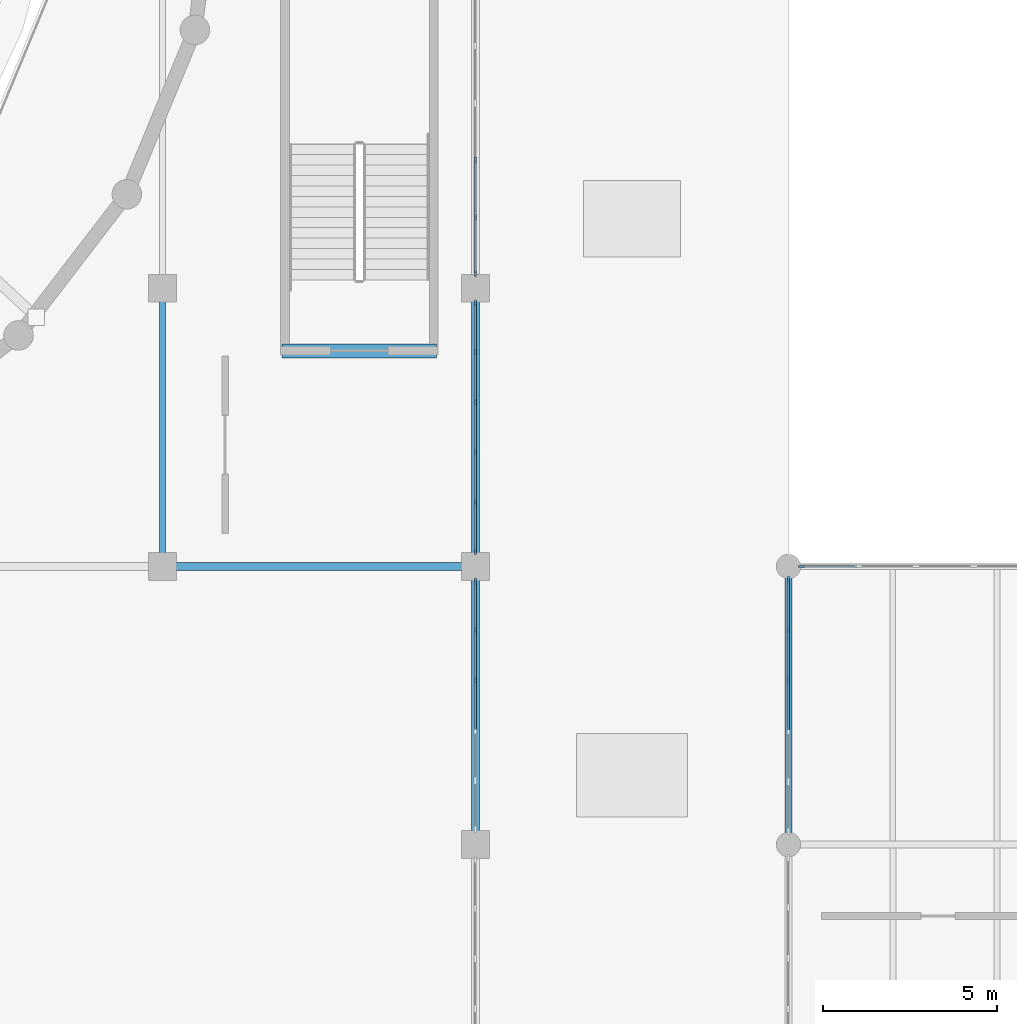
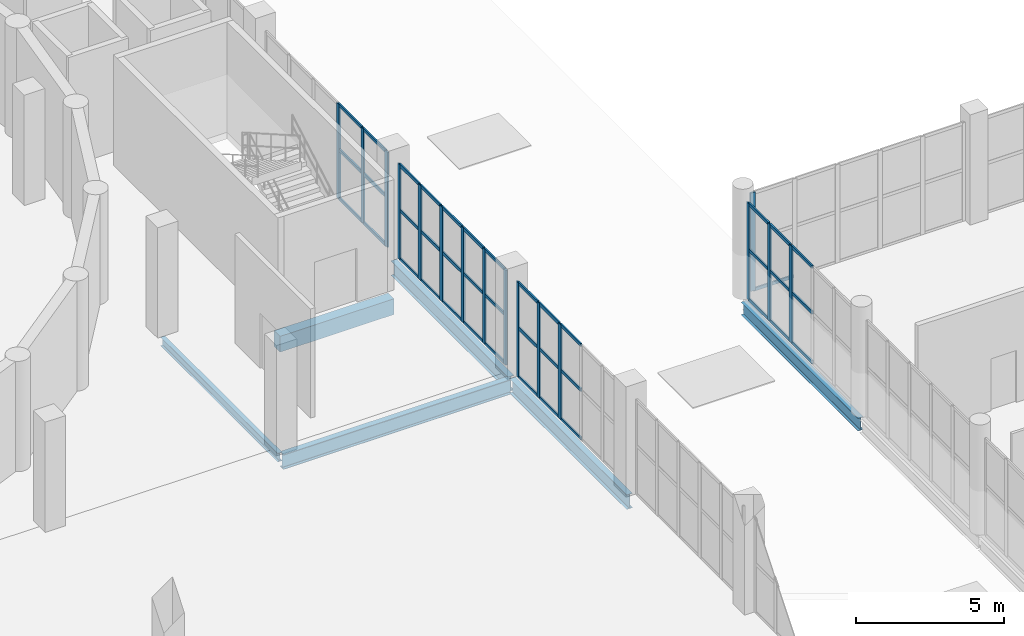
# One storey, part 38 of 93: 56 members, 6 beams, 5 elements without a shape of their own.
"""IFC4 building model written with IfcOpenShell, lengths in metres."""

from ifc_helpers import new_model, si_unit, direction, frame, origin, origin_2d, place, context, subcontext, project, spatial, rectangle, i_section, extrude, material, layer, layer_set, material_profile, profile_set, type_object, element, aggregate, save


model = new_model("IFC4")

# Units and contexts
model_context = context("Model", 3, precision=1e-05, world=origin(), true_north=direction((0.0, 1.0)))
body_context = subcontext(model_context, "Body", "Model", "MODEL_VIEW")
ifc_project = project(units=[si_unit("LENGTHUNIT", "METRE"), si_unit("AREAUNIT", "SQUARE_METRE"), si_unit("VOLUMEUNIT", "CUBIC_METRE"), si_unit("PLANEANGLEUNIT", "RADIAN"), si_unit("MASSUNIT", "GRAM", prefix="KILO")], contexts=[model_context])

# Site, building, storey
site_placement = place(None, origin())
site = spatial("IfcSite", under=ifc_project, at=site_placement, CompositionType="ELEMENT")
building_placement = place(site_placement, origin())
building = spatial("IfcBuilding", under=site, at=building_placement, Name="Marnock Terrace Opera House", CompositionType="ELEMENT")
storey_placement = place(building_placement, frame((0.0, 0.0, 5.39990234375)))
storey = spatial("IfcBuildingStorey", under=building, at=storey_placement, Name="L01", CompositionType="ELEMENT", Elevation=5.39990234375)

# Beams
ifc_material_1 = material(Name="Steel Grade 350 (AS/NZS 3679.1)", Category="steel")
ifc_material_profile_1 = material_profile(ifc_material_1, i_section(OverallWidth=0.1708984375, OverallDepth=0.355712890625, WebThickness=0.00732421875, FlangeThickness=0.011474609375, FilletRadius=0.011474609375, at=origin_2d()))
ifc_profile_set_1 = profile_set([ifc_material_profile_1], Name="Steel Grade 350 (AS/NZS 3679.1)")
beam_type_1 = type_object("IfcBeamType", Name="BM-GIRD-360", PredefinedType="BEAM", material=ifc_profile_set_1)
beam_1_placement = place(storey_placement, frame((100.0, 40.050048828125, -0.457763671875), z_axis=(0.0, 1.0, 0.0), x_axis=(-1.0, 0.0, 0.0)))
element("IfcBeam", 1, at=beam_1_placement, inside=storey, type_object=beam_type_1, Name="L01 girder (X=100.0, 40.0..48.0)", PredefinedType="BEAM", context=body_context, shape_type="SweptSolid", body=[
    extrude(i_section(OverallWidth=0.1708984375, OverallDepth=0.355712890625, WebThickness=0.00732421875, FlangeThickness=0.011474609375, FilletRadius=0.011474609375, at=origin_2d()), origin(), (0.0, 0.0, 1.0), 7.89990234375),
])
ifc_material_profile_2 = material_profile(ifc_material_1, i_section(OverallWidth=0.208984375, OverallDepth=0.528076171875, WebThickness=0.009521484375, FlangeThickness=0.01318359375, FilletRadius=0.013916015625, at=origin_2d()))
ifc_profile_set_2 = profile_set([ifc_material_profile_2], Name="Steel Grade 350 (AS/NZS 3679.1)")
beam_type_2 = type_object("IfcBeamType", Name="BM-GIRD-530B", PredefinedType="BEAM", material=ifc_profile_set_2)
beam_2_placement = place(storey_placement, frame((118.0, 32.050048828125, -0.5439453125), z_axis=(0.0, 1.0, 0.0), x_axis=(-1.0, 0.0, 0.0)))
element("IfcBeam", 2, at=beam_2_placement, inside=storey, type_object=beam_type_2, Name="L01 girder (X=118.0, 32.0..40.0)", PredefinedType="BEAM", context=body_context, shape_type="SweptSolid", body=[
    extrude(i_section(OverallWidth=0.208984375, OverallDepth=0.528076171875, WebThickness=0.009521484375, FlangeThickness=0.01318359375, FilletRadius=0.013916015625, at=origin_2d()), origin(), (0.0, 0.0, 1.0), 7.89990234375),
])
ifc_material_profile_3 = material_profile(ifc_material_1, i_section(OverallWidth=0.22900390625, OverallDepth=0.611572265625, WebThickness=0.011962890625, FlangeThickness=0.01953125, FilletRadius=0.013916015625, at=origin_2d()))
ifc_profile_set_3 = profile_set([ifc_material_profile_3], Name="Steel Grade 350 (AS/NZS 3679.1)")
beam_type_3 = type_object("IfcBeamType", Name="BM-GIRD-610A", PredefinedType="BEAM", material=ifc_profile_set_3)
beam_3_placement = place(storey_placement, frame((100.050048828125, 40.0, -0.585693359375), z_axis=(1.0, 0.0, 0.0), x_axis=(0.0, 1.0, 0.0)))
element("IfcBeam", 3, at=beam_3_placement, inside=storey, type_object=beam_type_3, Name="L01 girder (100.0..109.0, Y=40.0)", PredefinedType="BEAM", context=body_context, shape_type="SweptSolid", body=[
    extrude(i_section(OverallWidth=0.22900390625, OverallDepth=0.611572265625, WebThickness=0.011962890625, FlangeThickness=0.01953125, FilletRadius=0.013916015625, at=origin_2d()), origin(), (0.0, 0.0, 1.0), 8.89990234375),
])
ifc_material_profile_4 = material_profile(ifc_material_1, i_section(OverallWidth=0.22802734375, OverallDepth=0.60205078125, WebThickness=0.010498046875, FlangeThickness=0.014892578125, FilletRadius=0.013916015625, at=origin_2d()))
ifc_profile_set_4 = profile_set([ifc_material_profile_4], Name="Steel Grade 350 (AS/NZS 3679.1)")
beam_type_4 = type_object("IfcBeamType", Name="BM-GIRD-610C", PredefinedType="BEAM", material=ifc_profile_set_4)
for number, where, z_axis, x_axis, name in (
    (4, (109.0, 32.050048828125, -0.580810546875), (0.0, 1.0, 0.0), (-1.0, 0.0, 0.0), "L01 girder (X=109.0, 32.0..40.0)"),
    (5, (109.0, 40.050048828125, -0.580810546875), (0.0, 1.0, 0.0), (-1.0, 0.0, 0.0), "L01 girder (X=109.0, 40.0..48.0)"),
):
    element("IfcBeam", number, at=place(storey_placement, frame(where, z_axis=z_axis, x_axis=x_axis)), inside=storey, type_object=beam_type_4, Name=name, PredefinedType="BEAM", context=body_context, shape_type="SweptSolid", body=[
        extrude(i_section(OverallWidth=0.22802734375, OverallDepth=0.60205078125, WebThickness=0.010498046875, FlangeThickness=0.014892578125, FilletRadius=0.013916015625, at=origin_2d()), origin(), (0.0, 0.0, 1.0), 7.89990234375),
    ])
ifc_material_2 = material(Name="Concrete N40 (f'c = 40 MPa)", Category="concrete")
ifc_material_profile_5 = material_profile(ifc_material_2, rectangle(XDim=0.39990234375, YDim=0.64990234375, at=origin_2d()))
ifc_profile_set_5 = profile_set([ifc_material_profile_5], Name="Concrete N40 (f'c = 40 MPa)")
beam_type_5 = type_object("IfcBeamType", Name="BM-LINT-RC400", PredefinedType="LINTEL", material=ifc_profile_set_5)
beam_4_placement = place(storey_placement, frame((103.43994140625, 46.199951171875, -0.6298828125), z_axis=(1.0, 0.0, 0.0), x_axis=(0.0, 1.0, 0.0)))
element("IfcBeam", 6, at=beam_4_placement, inside=storey, type_object=beam_type_5, Name="L00 Core C2 coupling lintel", PredefinedType="LINTEL", context=body_context, shape_type="SweptSolid", body=[
    extrude(rectangle(XDim=0.39990234375, YDim=0.64990234375, at=origin_2d()), origin(), (0.0, 0.0, 1.0), 4.43994140625),
])

# Curtain wall, members
ifc_material_3 = material(Name="Anodised architectural bronze aluminium framing", Category="aluminium")
ifc_layer_1 = layer(ifc_material_3, 0.159912109375)
ifc_layer_set_1 = layer_set([ifc_layer_1], Name="Anodised architectural bronze aluminium framing")
curtain_wall_type_1 = type_object("IfcCurtainWallType", Name="CW-FOYER-80x45", PredefinedType="NOTDEFINED", material=ifc_layer_set_1)
curtain_wall_1_placement = place(storey_placement, origin())
curtain_wall_1 = element("IfcCurtainWall", 7, at=curtain_wall_1_placement, inside=storey, type_object=curtain_wall_type_1, Name="L01 glazed Beaux-Arts colonnade curtain wall CW-V1E-L01-04", PredefinedType="NOTDEFINED")
ifc_material_profile_6 = material_profile(ifc_material_3, rectangle(XDim=0.06494140625, YDim=0.179931640625, at=origin_2d()))
ifc_profile_set_6 = profile_set([ifc_material_profile_6], Name="Anodised architectural bronze aluminium framing")
member_type_1 = type_object("IfcMemberType", Name="CWM-65x180", PredefinedType="MULLION", material=ifc_profile_set_6)
member_1_placement = place(storey_placement, frame((109.0, 36.720703125, 0.0), z_axis=(0.0, 0.0, 1.0), x_axis=(-1.0, 0.0, 0.0)))
member_1 = element("IfcMember", 8, at=member_1_placement, type_object=member_type_1, Name="CW-87 mullion 4", PredefinedType="MULLION", context=body_context, shape_type="SweptSolid", body=[
    extrude(rectangle(XDim=0.06494140625, YDim=0.179931640625, at=origin_2d()), origin(), (0.0, 0.0, 1.0), 3.908203125),
])
member_2_placement = place(storey_placement, frame((109.0, 38.162353515625, 0.0), z_axis=(0.0, 0.0, 1.0), x_axis=(-1.0, 0.0, 0.0)))
member_2 = element("IfcMember", 9, at=member_2_placement, type_object=member_type_1, Name="CW-87 mullion 5", PredefinedType="MULLION", context=body_context, shape_type="SweptSolid", body=[
    extrude(rectangle(XDim=0.06494140625, YDim=0.179931640625, at=origin_2d()), origin(), (0.0, 0.0, 1.0), 3.908203125),
])
member_3_placement = place(storey_placement, frame((109.0, 39.573974609375, 0.0), z_axis=(0.0, 0.0, 1.0), x_axis=(-1.0, 0.0, 0.0)))
member_3 = element("IfcMember", 10, at=member_3_placement, type_object=member_type_1, Name="CW-87 mullion 6", PredefinedType="MULLION", context=body_context, shape_type="SweptSolid", body=[
    extrude(rectangle(XDim=0.06494140625, YDim=0.179931640625, at=origin_2d()), origin(), (0.0, 0.0, 1.0), 3.908203125),
])

curtain_wall_2_placement = place(storey_placement, origin())
curtain_wall_2 = element("IfcCurtainWall", 11, at=curtain_wall_2_placement, inside=storey, type_object=curtain_wall_type_1, Name="L01 glazed Beaux-Arts colonnade curtain wall CW-V1E-L01-05", PredefinedType="NOTDEFINED")
member_4_placement = place(storey_placement, frame((109.0, 40.426025390625, 0.0), z_axis=(0.0, 0.0, 1.0), x_axis=(-1.0, 0.0, 0.0)))
member_4 = element("IfcMember", 12, at=member_4_placement, type_object=member_type_1, Name="CW-87 mullion 1", PredefinedType="MULLION", context=body_context, shape_type="SweptSolid", body=[
    extrude(rectangle(XDim=0.06494140625, YDim=0.179931640625, at=origin_2d()), origin(), (0.0, 0.0, 1.0), 3.908203125),
])
member_5_placement = place(storey_placement, frame((109.0, 41.837646484375, 0.0), z_axis=(0.0, 0.0, 1.0), x_axis=(-1.0, 0.0, 0.0)))
member_5 = element("IfcMember", 13, at=member_5_placement, type_object=member_type_1, Name="CW-87 mullion 2", PredefinedType="MULLION", context=body_context, shape_type="SweptSolid", body=[
    extrude(rectangle(XDim=0.06494140625, YDim=0.179931640625, at=origin_2d()), origin(), (0.0, 0.0, 1.0), 3.908203125),
])
member_6_placement = place(storey_placement, frame((109.0, 43.279296875, 0.0), z_axis=(0.0, 0.0, 1.0), x_axis=(-1.0, 0.0, 0.0)))
member_6 = element("IfcMember", 14, at=member_6_placement, type_object=member_type_1, Name="CW-87 mullion 3", PredefinedType="MULLION", context=body_context, shape_type="SweptSolid", body=[
    extrude(rectangle(XDim=0.06494140625, YDim=0.179931640625, at=origin_2d()), origin(), (0.0, 0.0, 1.0), 3.908203125),
])
member_7_placement = place(storey_placement, frame((109.0, 44.720703125, 0.0), z_axis=(0.0, 0.0, 1.0), x_axis=(-1.0, 0.0, 0.0)))
member_7 = element("IfcMember", 15, at=member_7_placement, type_object=member_type_1, Name="CW-87 mullion 4", PredefinedType="MULLION", context=body_context, shape_type="SweptSolid", body=[
    extrude(rectangle(XDim=0.06494140625, YDim=0.179931640625, at=origin_2d()), origin(), (0.0, 0.0, 1.0), 3.908203125),
])
member_8_placement = place(storey_placement, frame((109.0, 46.162353515625, 0.0), z_axis=(0.0, 0.0, 1.0), x_axis=(-1.0, 0.0, 0.0)))
member_8 = element("IfcMember", 16, at=member_8_placement, type_object=member_type_1, Name="CW-87 mullion 5", PredefinedType="MULLION", context=body_context, shape_type="SweptSolid", body=[
    extrude(rectangle(XDim=0.06494140625, YDim=0.179931640625, at=origin_2d()), origin(), (0.0, 0.0, 1.0), 3.908203125),
])
member_9_placement = place(storey_placement, frame((109.0, 47.573974609375, 0.0), z_axis=(0.0, 0.0, 1.0), x_axis=(-1.0, 0.0, 0.0)))
member_9 = element("IfcMember", 17, at=member_9_placement, type_object=member_type_1, Name="CW-87 mullion 6", PredefinedType="MULLION", context=body_context, shape_type="SweptSolid", body=[
    extrude(rectangle(XDim=0.06494140625, YDim=0.179931640625, at=origin_2d()), origin(), (0.0, 0.0, 1.0), 3.908203125),
])

ifc_layer_2 = layer(ifc_material_3, 0.159912109375)
ifc_layer_set_2 = layer_set([ifc_layer_2], Name="Anodised architectural bronze aluminium framing")
curtain_wall_type_2 = type_object("IfcCurtainWallType", Name="CW-FOYER-90x45", PredefinedType="NOTDEFINED", material=ifc_layer_set_2)
curtain_wall_3_placement = place(storey_placement, origin())
curtain_wall_3 = element("IfcCurtainWall", 18, at=curtain_wall_3_placement, inside=storey, type_object=curtain_wall_type_2, Name="L01 glazed Beaux-Arts colonnade curtain wall CW-V1E-L01-06", PredefinedType="NOTDEFINED")
member_10_placement = place(storey_placement, frame((109.0, 48.426025390625, 0.0), z_axis=(0.0, 0.0, 1.0), x_axis=(-1.0, 0.0, 0.0)))
member_10 = element("IfcMember", 19, at=member_10_placement, type_object=member_type_1, Name="CW-27 mullion 1", PredefinedType="MULLION", context=body_context, shape_type="SweptSolid", body=[
    extrude(rectangle(XDim=0.06494140625, YDim=0.179931640625, at=origin_2d()), origin(), (0.0, 0.0, 1.0), 3.908203125),
])
member_11_placement = place(storey_placement, frame((109.0, 50.03759765625, 0.0), z_axis=(0.0, 0.0, 1.0), x_axis=(-1.0, 0.0, 0.0)))
member_11 = element("IfcMember", 20, at=member_11_placement, type_object=member_type_1, Name="CW-27 mullion 2", PredefinedType="MULLION", context=body_context, shape_type="SweptSolid", body=[
    extrude(rectangle(XDim=0.06494140625, YDim=0.179931640625, at=origin_2d()), origin(), (0.0, 0.0, 1.0), 3.908203125),
])
member_12_placement = place(storey_placement, frame((109.0, 51.67919921875, 0.0), z_axis=(0.0, 0.0, 1.0), x_axis=(-1.0, 0.0, 0.0)))
member_12 = element("IfcMember", 21, at=member_12_placement, type_object=member_type_1, Name="CW-27 mullion 3", PredefinedType="MULLION", context=body_context, shape_type="SweptSolid", body=[
    extrude(rectangle(XDim=0.06494140625, YDim=0.179931640625, at=origin_2d()), origin(), (0.0, 0.0, 1.0), 3.908203125),
])

ifc_layer_3 = layer(ifc_material_3, 0.159912109375)
ifc_layer_set_3 = layer_set([ifc_layer_3], Name="Anodised architectural bronze aluminium framing")
curtain_wall_type_3 = type_object("IfcCurtainWallType", Name="CW-LOGGIA-86x45", PredefinedType="NOTDEFINED", material=ifc_layer_set_3)
curtain_wall_4_placement = place(storey_placement, origin())
curtain_wall_4 = element("IfcCurtainWall", 22, at=curtain_wall_4_placement, inside=storey, type_object=curtain_wall_type_3, Name="L01 glazed Beaux-Arts colonnade curtain wall CW-V5-L01-W4", PredefinedType="NOTDEFINED")
member_13_placement = place(storey_placement, frame((118.0, 36.730712890625, 0.0), z_axis=(0.0, 0.0, 1.0), x_axis=(-1.0, 0.0, 0.0)))
member_13 = element("IfcMember", 23, at=member_13_placement, type_object=member_type_1, Name="CW-61 mullion 4", PredefinedType="MULLION", context=body_context, shape_type="SweptSolid", body=[
    extrude(rectangle(XDim=0.06494140625, YDim=0.179931640625, at=origin_2d()), origin(), (0.0, 0.0, 1.0), 3.982177734375),
])
member_14_placement = place(storey_placement, frame((118.0, 38.1923828125, 0.0), z_axis=(0.0, 0.0, 1.0), x_axis=(-1.0, 0.0, 0.0)))
member_14 = element("IfcMember", 24, at=member_14_placement, type_object=member_type_1, Name="CW-61 mullion 5", PredefinedType="MULLION", context=body_context, shape_type="SweptSolid", body=[
    extrude(rectangle(XDim=0.06494140625, YDim=0.179931640625, at=origin_2d()), origin(), (0.0, 0.0, 1.0), 3.982177734375),
])
member_15_placement = place(storey_placement, frame((118.0, 39.6240234375, 0.0), z_axis=(0.0, 0.0, 1.0), x_axis=(-1.0, 0.0, 0.0)))
member_15 = element("IfcMember", 25, at=member_15_placement, type_object=member_type_1, Name="CW-61 mullion 6", PredefinedType="MULLION", context=body_context, shape_type="SweptSolid", body=[
    extrude(rectangle(XDim=0.06494140625, YDim=0.179931640625, at=origin_2d()), origin(), (0.0, 0.0, 1.0), 3.982177734375),
])

# Curtain wall, member
curtain_wall_5_placement = place(storey_placement, origin())
curtain_wall_5 = element("IfcCurtainWall", 26, at=curtain_wall_5_placement, inside=storey, type_object=curtain_wall_type_3, Name="L01 glazed Beaux-Arts colonnade curtain wall CW-V5-L01-CS1", PredefinedType="NOTDEFINED")
member_16_placement = place(storey_placement, frame((118.3759765625, 40.0, 0.0), z_axis=(0.0, 0.0, 1.0), x_axis=(0.0, 1.0, 0.0)))
member_16 = element("IfcMember", 27, at=member_16_placement, type_object=member_type_1, Name="CW-61 mullion 1", PredefinedType="MULLION", context=body_context, shape_type="SweptSolid", body=[
    extrude(rectangle(XDim=0.06494140625, YDim=0.179931640625, at=origin_2d()), origin(), (0.0, 0.0, 1.0), 4.0498046875),
])

# Member
ifc_material_profile_7 = material_profile(ifc_material_3, rectangle(XDim=0.06005859375, YDim=0.1298828125, at=origin_2d()))
ifc_profile_set_7 = profile_set([ifc_material_profile_7], Name="Anodised architectural bronze aluminium framing")
member_type_2 = type_object("IfcMemberType", Name="CWT-60x130", PredefinedType="USERDEFINED", material=ifc_profile_set_7)
member_17_placement = place(storey_placement, frame((109.0, 35.30908203125, 0.030029296875), z_axis=(0.0, 1.0, 0.0), x_axis=(-1.0, 0.0, 0.0)))
member_17 = element("IfcMember", 28, at=member_17_placement, type_object=member_type_2, Name="CW-87 transom 3.1", ObjectType="TRANSOM", PredefinedType="USERDEFINED", context=body_context, shape_type="SweptSolid", body=[
    extrude(rectangle(XDim=0.06005859375, YDim=0.1298828125, at=origin_2d()), origin(), (0.0, 0.0, 1.0), 1.3818359375),
])

member_18_placement = place(storey_placement, frame((109.0, 35.30908203125, 2.0322265625), z_axis=(0.0, 1.0, 0.0), x_axis=(-1.0, 0.0, 0.0)))
member_18 = element("IfcMember", 29, at=member_18_placement, type_object=member_type_2, Name="CW-87 transom 3.2", ObjectType="TRANSOM", PredefinedType="USERDEFINED", context=body_context, shape_type="SweptSolid", body=[
    extrude(rectangle(XDim=0.06005859375, YDim=0.1298828125, at=origin_2d()), origin(), (0.0, 0.0, 1.0), 1.3818359375),
])

member_19_placement = place(storey_placement, frame((109.0, 35.30908203125, 3.878173828125), z_axis=(0.0, 1.0, 0.0), x_axis=(-1.0, 0.0, 0.0)))
member_19 = element("IfcMember", 30, at=member_19_placement, type_object=member_type_2, Name="CW-87 transom 3.3", ObjectType="TRANSOM", PredefinedType="USERDEFINED", context=body_context, shape_type="SweptSolid", body=[
    extrude(rectangle(XDim=0.06005859375, YDim=0.1298828125, at=origin_2d()), origin(), (0.0, 0.0, 1.0), 1.3818359375),
])

member_20_placement = place(storey_placement, frame((109.0, 36.750732421875, 0.030029296875), z_axis=(0.0, 1.0, 0.0), x_axis=(-1.0, 0.0, 0.0)))
member_20 = element("IfcMember", 31, at=member_20_placement, type_object=member_type_2, Name="CW-87 transom 4.1", ObjectType="TRANSOM", PredefinedType="USERDEFINED", context=body_context, shape_type="SweptSolid", body=[
    extrude(rectangle(XDim=0.06005859375, YDim=0.1298828125, at=origin_2d()), origin(), (0.0, 0.0, 1.0), 1.381591796875),
])

member_21_placement = place(storey_placement, frame((109.0, 36.750732421875, 2.0322265625), z_axis=(0.0, 1.0, 0.0), x_axis=(-1.0, 0.0, 0.0)))
member_21 = element("IfcMember", 32, at=member_21_placement, type_object=member_type_2, Name="CW-87 transom 4.2", ObjectType="TRANSOM", PredefinedType="USERDEFINED", context=body_context, shape_type="SweptSolid", body=[
    extrude(rectangle(XDim=0.06005859375, YDim=0.1298828125, at=origin_2d()), origin(), (0.0, 0.0, 1.0), 1.381591796875),
])

member_22_placement = place(storey_placement, frame((109.0, 36.750732421875, 3.878173828125), z_axis=(0.0, 1.0, 0.0), x_axis=(-1.0, 0.0, 0.0)))
member_22 = element("IfcMember", 33, at=member_22_placement, type_object=member_type_2, Name="CW-87 transom 4.3", ObjectType="TRANSOM", PredefinedType="USERDEFINED", context=body_context, shape_type="SweptSolid", body=[
    extrude(rectangle(XDim=0.06005859375, YDim=0.1298828125, at=origin_2d()), origin(), (0.0, 0.0, 1.0), 1.381591796875),
])

member_23_placement = place(storey_placement, frame((109.0, 38.1923828125, 0.030029296875), z_axis=(0.0, 1.0, 0.0), x_axis=(-1.0, 0.0, 0.0)))
member_23 = element("IfcMember", 34, at=member_23_placement, type_object=member_type_2, Name="CW-87 transom 5.1", ObjectType="TRANSOM", PredefinedType="USERDEFINED", context=body_context, shape_type="SweptSolid", body=[
    extrude(rectangle(XDim=0.06005859375, YDim=0.1298828125, at=origin_2d()), origin(), (0.0, 0.0, 1.0), 1.3515625),
])

member_24_placement = place(storey_placement, frame((109.0, 38.1923828125, 2.0322265625), z_axis=(0.0, 1.0, 0.0), x_axis=(-1.0, 0.0, 0.0)))
member_24 = element("IfcMember", 35, at=member_24_placement, type_object=member_type_2, Name="CW-87 transom 5.2", ObjectType="TRANSOM", PredefinedType="USERDEFINED", context=body_context, shape_type="SweptSolid", body=[
    extrude(rectangle(XDim=0.06005859375, YDim=0.1298828125, at=origin_2d()), origin(), (0.0, 0.0, 1.0), 1.3515625),
])

member_25_placement = place(storey_placement, frame((109.0, 38.1923828125, 3.878173828125), z_axis=(0.0, 1.0, 0.0), x_axis=(-1.0, 0.0, 0.0)))
member_25 = element("IfcMember", 36, at=member_25_placement, type_object=member_type_2, Name="CW-87 transom 5.3", ObjectType="TRANSOM", PredefinedType="USERDEFINED", context=body_context, shape_type="SweptSolid", body=[
    extrude(rectangle(XDim=0.06005859375, YDim=0.1298828125, at=origin_2d()), origin(), (0.0, 0.0, 1.0), 1.3515625),
])

aggregate(curtain_wall_1, [member_1, member_2, member_3, member_17, member_18, member_19, member_20, member_21, member_22, member_23, member_24, member_25])

member_26_placement = place(storey_placement, frame((109.0, 40.4560546875, 0.030029296875), z_axis=(0.0, 1.0, 0.0), x_axis=(-1.0, 0.0, 0.0)))
member_26 = element("IfcMember", 37, at=member_26_placement, type_object=member_type_2, Name="CW-87 transom 1.1", ObjectType="TRANSOM", PredefinedType="USERDEFINED", context=body_context, shape_type="SweptSolid", body=[
    extrude(rectangle(XDim=0.06005859375, YDim=0.1298828125, at=origin_2d()), origin(), (0.0, 0.0, 1.0), 1.3515625),
])

member_27_placement = place(storey_placement, frame((109.0, 40.4560546875, 2.0322265625), z_axis=(0.0, 1.0, 0.0), x_axis=(-1.0, 0.0, 0.0)))
member_27 = element("IfcMember", 38, at=member_27_placement, type_object=member_type_2, Name="CW-87 transom 1.2", ObjectType="TRANSOM", PredefinedType="USERDEFINED", context=body_context, shape_type="SweptSolid", body=[
    extrude(rectangle(XDim=0.06005859375, YDim=0.1298828125, at=origin_2d()), origin(), (0.0, 0.0, 1.0), 1.3515625),
])

member_28_placement = place(storey_placement, frame((109.0, 40.4560546875, 3.878173828125), z_axis=(0.0, 1.0, 0.0), x_axis=(-1.0, 0.0, 0.0)))
member_28 = element("IfcMember", 39, at=member_28_placement, type_object=member_type_2, Name="CW-87 transom 1.3", ObjectType="TRANSOM", PredefinedType="USERDEFINED", context=body_context, shape_type="SweptSolid", body=[
    extrude(rectangle(XDim=0.06005859375, YDim=0.1298828125, at=origin_2d()), origin(), (0.0, 0.0, 1.0), 1.3515625),
])

member_29_placement = place(storey_placement, frame((109.0, 41.86767578125, 0.030029296875), z_axis=(0.0, 1.0, 0.0), x_axis=(-1.0, 0.0, 0.0)))
member_29 = element("IfcMember", 40, at=member_29_placement, type_object=member_type_2, Name="CW-87 transom 2.1", ObjectType="TRANSOM", PredefinedType="USERDEFINED", context=body_context, shape_type="SweptSolid", body=[
    extrude(rectangle(XDim=0.06005859375, YDim=0.1298828125, at=origin_2d()), origin(), (0.0, 0.0, 1.0), 1.381591796875),
])

member_30_placement = place(storey_placement, frame((109.0, 41.86767578125, 2.0322265625), z_axis=(0.0, 1.0, 0.0), x_axis=(-1.0, 0.0, 0.0)))
member_30 = element("IfcMember", 41, at=member_30_placement, type_object=member_type_2, Name="CW-87 transom 2.2", ObjectType="TRANSOM", PredefinedType="USERDEFINED", context=body_context, shape_type="SweptSolid", body=[
    extrude(rectangle(XDim=0.06005859375, YDim=0.1298828125, at=origin_2d()), origin(), (0.0, 0.0, 1.0), 1.381591796875),
])

member_31_placement = place(storey_placement, frame((109.0, 41.86767578125, 3.878173828125), z_axis=(0.0, 1.0, 0.0), x_axis=(-1.0, 0.0, 0.0)))
member_31 = element("IfcMember", 42, at=member_31_placement, type_object=member_type_2, Name="CW-87 transom 2.3", ObjectType="TRANSOM", PredefinedType="USERDEFINED", context=body_context, shape_type="SweptSolid", body=[
    extrude(rectangle(XDim=0.06005859375, YDim=0.1298828125, at=origin_2d()), origin(), (0.0, 0.0, 1.0), 1.381591796875),
])

member_32_placement = place(storey_placement, frame((109.0, 43.30908203125, 0.030029296875), z_axis=(0.0, 1.0, 0.0), x_axis=(-1.0, 0.0, 0.0)))
member_32 = element("IfcMember", 43, at=member_32_placement, type_object=member_type_2, Name="CW-87 transom 3.1", ObjectType="TRANSOM", PredefinedType="USERDEFINED", context=body_context, shape_type="SweptSolid", body=[
    extrude(rectangle(XDim=0.06005859375, YDim=0.1298828125, at=origin_2d()), origin(), (0.0, 0.0, 1.0), 1.3818359375),
])

member_33_placement = place(storey_placement, frame((109.0, 43.30908203125, 2.0322265625), z_axis=(0.0, 1.0, 0.0), x_axis=(-1.0, 0.0, 0.0)))
member_33 = element("IfcMember", 44, at=member_33_placement, type_object=member_type_2, Name="CW-87 transom 3.2", ObjectType="TRANSOM", PredefinedType="USERDEFINED", context=body_context, shape_type="SweptSolid", body=[
    extrude(rectangle(XDim=0.06005859375, YDim=0.1298828125, at=origin_2d()), origin(), (0.0, 0.0, 1.0), 1.3818359375),
])

member_34_placement = place(storey_placement, frame((109.0, 43.30908203125, 3.878173828125), z_axis=(0.0, 1.0, 0.0), x_axis=(-1.0, 0.0, 0.0)))
member_34 = element("IfcMember", 45, at=member_34_placement, type_object=member_type_2, Name="CW-87 transom 3.3", ObjectType="TRANSOM", PredefinedType="USERDEFINED", context=body_context, shape_type="SweptSolid", body=[
    extrude(rectangle(XDim=0.06005859375, YDim=0.1298828125, at=origin_2d()), origin(), (0.0, 0.0, 1.0), 1.3818359375),
])

member_35_placement = place(storey_placement, frame((109.0, 44.750732421875, 0.030029296875), z_axis=(0.0, 1.0, 0.0), x_axis=(-1.0, 0.0, 0.0)))
member_35 = element("IfcMember", 46, at=member_35_placement, type_object=member_type_2, Name="CW-87 transom 4.1", ObjectType="TRANSOM", PredefinedType="USERDEFINED", context=body_context, shape_type="SweptSolid", body=[
    extrude(rectangle(XDim=0.06005859375, YDim=0.1298828125, at=origin_2d()), origin(), (0.0, 0.0, 1.0), 1.381591796875),
])

member_36_placement = place(storey_placement, frame((109.0, 44.750732421875, 2.0322265625), z_axis=(0.0, 1.0, 0.0), x_axis=(-1.0, 0.0, 0.0)))
member_36 = element("IfcMember", 47, at=member_36_placement, type_object=member_type_2, Name="CW-87 transom 4.2", ObjectType="TRANSOM", PredefinedType="USERDEFINED", context=body_context, shape_type="SweptSolid", body=[
    extrude(rectangle(XDim=0.06005859375, YDim=0.1298828125, at=origin_2d()), origin(), (0.0, 0.0, 1.0), 1.381591796875),
])

member_37_placement = place(storey_placement, frame((109.0, 44.750732421875, 3.878173828125), z_axis=(0.0, 1.0, 0.0), x_axis=(-1.0, 0.0, 0.0)))
member_37 = element("IfcMember", 48, at=member_37_placement, type_object=member_type_2, Name="CW-87 transom 4.3", ObjectType="TRANSOM", PredefinedType="USERDEFINED", context=body_context, shape_type="SweptSolid", body=[
    extrude(rectangle(XDim=0.06005859375, YDim=0.1298828125, at=origin_2d()), origin(), (0.0, 0.0, 1.0), 1.381591796875),
])

member_38_placement = place(storey_placement, frame((109.0, 46.1923828125, 0.030029296875), z_axis=(0.0, 1.0, 0.0), x_axis=(-1.0, 0.0, 0.0)))
member_38 = element("IfcMember", 49, at=member_38_placement, type_object=member_type_2, Name="CW-87 transom 5.1", ObjectType="TRANSOM", PredefinedType="USERDEFINED", context=body_context, shape_type="SweptSolid", body=[
    extrude(rectangle(XDim=0.06005859375, YDim=0.1298828125, at=origin_2d()), origin(), (0.0, 0.0, 1.0), 1.3515625),
])

member_39_placement = place(storey_placement, frame((109.0, 46.1923828125, 2.0322265625), z_axis=(0.0, 1.0, 0.0), x_axis=(-1.0, 0.0, 0.0)))
member_39 = element("IfcMember", 50, at=member_39_placement, type_object=member_type_2, Name="CW-87 transom 5.2", ObjectType="TRANSOM", PredefinedType="USERDEFINED", context=body_context, shape_type="SweptSolid", body=[
    extrude(rectangle(XDim=0.06005859375, YDim=0.1298828125, at=origin_2d()), origin(), (0.0, 0.0, 1.0), 1.3515625),
])

member_40_placement = place(storey_placement, frame((109.0, 46.1923828125, 3.878173828125), z_axis=(0.0, 1.0, 0.0), x_axis=(-1.0, 0.0, 0.0)))
member_40 = element("IfcMember", 51, at=member_40_placement, type_object=member_type_2, Name="CW-87 transom 5.3", ObjectType="TRANSOM", PredefinedType="USERDEFINED", context=body_context, shape_type="SweptSolid", body=[
    extrude(rectangle(XDim=0.06005859375, YDim=0.1298828125, at=origin_2d()), origin(), (0.0, 0.0, 1.0), 1.3515625),
])

aggregate(curtain_wall_2, [member_4, member_5, member_6, member_7, member_8, member_9, member_26, member_27, member_28, member_29, member_30, member_31, member_32, member_33, member_34, member_35, member_36, member_37, member_38, member_39, member_40])

member_41_placement = place(storey_placement, frame((109.0, 48.4560546875, 0.030029296875), z_axis=(0.0, 1.0, 0.0), x_axis=(-1.0, 0.0, 0.0)))
member_41 = element("IfcMember", 52, at=member_41_placement, type_object=member_type_2, Name="CW-27 transom 1.1", ObjectType="TRANSOM", PredefinedType="USERDEFINED", context=body_context, shape_type="SweptSolid", body=[
    extrude(rectangle(XDim=0.06005859375, YDim=0.1298828125, at=origin_2d()), origin(), (0.0, 0.0, 1.0), 1.551513671875),
])

member_42_placement = place(storey_placement, frame((109.0, 48.4560546875, 2.0322265625), z_axis=(0.0, 1.0, 0.0), x_axis=(-1.0, 0.0, 0.0)))
member_42 = element("IfcMember", 53, at=member_42_placement, type_object=member_type_2, Name="CW-27 transom 1.2", ObjectType="TRANSOM", PredefinedType="USERDEFINED", context=body_context, shape_type="SweptSolid", body=[
    extrude(rectangle(XDim=0.06005859375, YDim=0.1298828125, at=origin_2d()), origin(), (0.0, 0.0, 1.0), 1.551513671875),
])

member_43_placement = place(storey_placement, frame((109.0, 48.4560546875, 3.878173828125), z_axis=(0.0, 1.0, 0.0), x_axis=(-1.0, 0.0, 0.0)))
member_43 = element("IfcMember", 54, at=member_43_placement, type_object=member_type_2, Name="CW-27 transom 1.3", ObjectType="TRANSOM", PredefinedType="USERDEFINED", context=body_context, shape_type="SweptSolid", body=[
    extrude(rectangle(XDim=0.06005859375, YDim=0.1298828125, at=origin_2d()), origin(), (0.0, 0.0, 1.0), 1.551513671875),
])

member_44_placement = place(storey_placement, frame((109.0, 50.067626953125, 0.030029296875), z_axis=(0.0, 1.0, 0.0), x_axis=(-1.0, 0.0, 0.0)))
member_44 = element("IfcMember", 55, at=member_44_placement, type_object=member_type_2, Name="CW-27 transom 2.1", ObjectType="TRANSOM", PredefinedType="USERDEFINED", context=body_context, shape_type="SweptSolid", body=[
    extrude(rectangle(XDim=0.06005859375, YDim=0.1298828125, at=origin_2d()), origin(), (0.0, 0.0, 1.0), 1.58154296875),
])

member_45_placement = place(storey_placement, frame((109.0, 50.067626953125, 2.0322265625), z_axis=(0.0, 1.0, 0.0), x_axis=(-1.0, 0.0, 0.0)))
member_45 = element("IfcMember", 56, at=member_45_placement, type_object=member_type_2, Name="CW-27 transom 2.2", ObjectType="TRANSOM", PredefinedType="USERDEFINED", context=body_context, shape_type="SweptSolid", body=[
    extrude(rectangle(XDim=0.06005859375, YDim=0.1298828125, at=origin_2d()), origin(), (0.0, 0.0, 1.0), 1.58154296875),
])

member_46_placement = place(storey_placement, frame((109.0, 50.067626953125, 3.878173828125), z_axis=(0.0, 1.0, 0.0), x_axis=(-1.0, 0.0, 0.0)))
member_46 = element("IfcMember", 57, at=member_46_placement, type_object=member_type_2, Name="CW-27 transom 2.3", ObjectType="TRANSOM", PredefinedType="USERDEFINED", context=body_context, shape_type="SweptSolid", body=[
    extrude(rectangle(XDim=0.06005859375, YDim=0.1298828125, at=origin_2d()), origin(), (0.0, 0.0, 1.0), 1.58154296875),
])

aggregate(curtain_wall_3, [member_10, member_11, member_12, member_41, member_42, member_43, member_44, member_45, member_46])

member_47_placement = place(storey_placement, frame((118.0, 35.29931640625, 0.030029296875), z_axis=(0.0, 1.0, 0.0), x_axis=(-1.0, 0.0, 0.0)))
member_47 = element("IfcMember", 58, at=member_47_placement, type_object=member_type_2, Name="CW-61 transom 3.1", ObjectType="TRANSOM", PredefinedType="USERDEFINED", context=body_context, shape_type="SweptSolid", body=[
    extrude(rectangle(XDim=0.06005859375, YDim=0.1298828125, at=origin_2d()), origin(), (0.0, 0.0, 1.0), 1.4013671875),
])

member_48_placement = place(storey_placement, frame((118.0, 35.29931640625, 2.07080078125), z_axis=(0.0, 1.0, 0.0), x_axis=(-1.0, 0.0, 0.0)))
member_48 = element("IfcMember", 59, at=member_48_placement, type_object=member_type_2, Name="CW-61 transom 3.2", ObjectType="TRANSOM", PredefinedType="USERDEFINED", context=body_context, shape_type="SweptSolid", body=[
    extrude(rectangle(XDim=0.06005859375, YDim=0.1298828125, at=origin_2d()), origin(), (0.0, 0.0, 1.0), 1.4013671875),
])

member_49_placement = place(storey_placement, frame((118.0, 35.29931640625, 3.9521484375), z_axis=(0.0, 1.0, 0.0), x_axis=(-1.0, 0.0, 0.0)))
member_49 = element("IfcMember", 60, at=member_49_placement, type_object=member_type_2, Name="CW-61 transom 3.3", ObjectType="TRANSOM", PredefinedType="USERDEFINED", context=body_context, shape_type="SweptSolid", body=[
    extrude(rectangle(XDim=0.06005859375, YDim=0.1298828125, at=origin_2d()), origin(), (0.0, 0.0, 1.0), 1.4013671875),
])

member_50_placement = place(storey_placement, frame((118.0, 36.7607421875, 0.030029296875), z_axis=(0.0, 1.0, 0.0), x_axis=(-1.0, 0.0, 0.0)))
member_50 = element("IfcMember", 61, at=member_50_placement, type_object=member_type_2, Name="CW-61 transom 4.1", ObjectType="TRANSOM", PredefinedType="USERDEFINED", context=body_context, shape_type="SweptSolid", body=[
    extrude(rectangle(XDim=0.06005859375, YDim=0.1298828125, at=origin_2d()), origin(), (0.0, 0.0, 1.0), 1.401611328125),
])

member_51_placement = place(storey_placement, frame((118.0, 36.7607421875, 2.07080078125), z_axis=(0.0, 1.0, 0.0), x_axis=(-1.0, 0.0, 0.0)))
member_51 = element("IfcMember", 62, at=member_51_placement, type_object=member_type_2, Name="CW-61 transom 4.2", ObjectType="TRANSOM", PredefinedType="USERDEFINED", context=body_context, shape_type="SweptSolid", body=[
    extrude(rectangle(XDim=0.06005859375, YDim=0.1298828125, at=origin_2d()), origin(), (0.0, 0.0, 1.0), 1.401611328125),
])

member_52_placement = place(storey_placement, frame((118.0, 36.7607421875, 3.9521484375), z_axis=(0.0, 1.0, 0.0), x_axis=(-1.0, 0.0, 0.0)))
member_52 = element("IfcMember", 63, at=member_52_placement, type_object=member_type_2, Name="CW-61 transom 4.3", ObjectType="TRANSOM", PredefinedType="USERDEFINED", context=body_context, shape_type="SweptSolid", body=[
    extrude(rectangle(XDim=0.06005859375, YDim=0.1298828125, at=origin_2d()), origin(), (0.0, 0.0, 1.0), 1.401611328125),
])

member_53_placement = place(storey_placement, frame((118.0, 38.222412109375, 0.030029296875), z_axis=(0.0, 1.0, 0.0), x_axis=(-1.0, 0.0, 0.0)))
member_53 = element("IfcMember", 64, at=member_53_placement, type_object=member_type_2, Name="CW-61 transom 5.1", ObjectType="TRANSOM", PredefinedType="USERDEFINED", context=body_context, shape_type="SweptSolid", body=[
    extrude(rectangle(XDim=0.06005859375, YDim=0.1298828125, at=origin_2d()), origin(), (0.0, 0.0, 1.0), 1.37158203125),
])

member_54_placement = place(storey_placement, frame((118.0, 38.222412109375, 2.07080078125), z_axis=(0.0, 1.0, 0.0), x_axis=(-1.0, 0.0, 0.0)))
member_54 = element("IfcMember", 65, at=member_54_placement, type_object=member_type_2, Name="CW-61 transom 5.2", ObjectType="TRANSOM", PredefinedType="USERDEFINED", context=body_context, shape_type="SweptSolid", body=[
    extrude(rectangle(XDim=0.06005859375, YDim=0.1298828125, at=origin_2d()), origin(), (0.0, 0.0, 1.0), 1.37158203125),
])

member_55_placement = place(storey_placement, frame((118.0, 38.222412109375, 3.9521484375), z_axis=(0.0, 1.0, 0.0), x_axis=(-1.0, 0.0, 0.0)))
member_55 = element("IfcMember", 66, at=member_55_placement, type_object=member_type_2, Name="CW-61 transom 5.3", ObjectType="TRANSOM", PredefinedType="USERDEFINED", context=body_context, shape_type="SweptSolid", body=[
    extrude(rectangle(XDim=0.06005859375, YDim=0.1298828125, at=origin_2d()), origin(), (0.0, 0.0, 1.0), 1.37158203125),
])

aggregate(curtain_wall_4, [member_13, member_14, member_15, member_47, member_48, member_49, member_50, member_51, member_52, member_53, member_54, member_55])

member_56_placement = place(storey_placement, frame((118.406005859375, 40.0, 0.030029296875), z_axis=(1.0, 0.0, 0.0), x_axis=(0.0, 1.0, 0.0)))
member_56 = element("IfcMember", 67, at=member_56_placement, type_object=member_type_2, Name="CW-61 transom 1.1", ObjectType="TRANSOM", PredefinedType="USERDEFINED", context=body_context, shape_type="SweptSolid", body=[
    extrude(rectangle(XDim=0.06005859375, YDim=0.1298828125, at=origin_2d()), origin(), (0.0, 0.0, 1.0), 1.571533203125),
])

aggregate(curtain_wall_5, [member_16, member_56])

save(model, "model.ifc")
